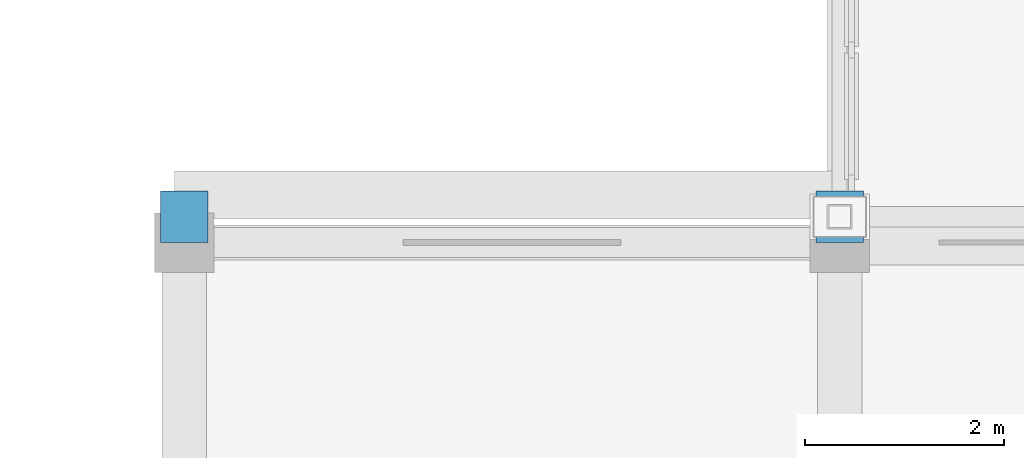
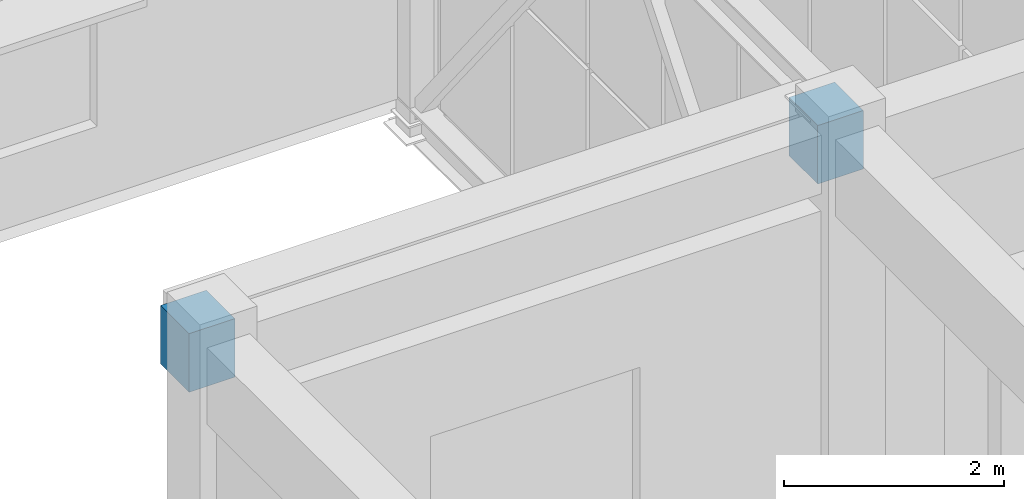
# One storey, part 28 of 64: 2 beams.
"""IFC4 building model written with IfcOpenShell, lengths in metres."""

from ifc_helpers import new_model, si_unit, direction, frame, origin, origin_2d, place, context, subcontext, project, spatial, rectangle, extrude, material, material_profile, profile_set, type_object, element, save


model = new_model("IFC4")

# Units and contexts
model_context = context("Model", 3, precision=1e-05, world=origin(), true_north=direction((0.0, 1.0)))
body_context = subcontext(model_context, "Body", "Model", "MODEL_VIEW")
ifc_project = project(units=[si_unit("LENGTHUNIT", "METRE"), si_unit("AREAUNIT", "SQUARE_METRE"), si_unit("VOLUMEUNIT", "CUBIC_METRE"), si_unit("PLANEANGLEUNIT", "RADIAN"), si_unit("MASSUNIT", "GRAM", prefix="KILO")], contexts=[model_context])

# Site, building, storey
site_placement = place(None, origin())
site = spatial("IfcSite", under=ifc_project, at=site_placement, CompositionType="ELEMENT")
building_placement = place(site_placement, origin())
building = spatial("IfcBuilding", under=site, at=building_placement, Name="Cinchona Park Media Centre", CompositionType="ELEMENT")
storey_placement = place(building_placement, frame((0.0, 0.0, 5.39990234375)))
storey = spatial("IfcBuildingStorey", under=building, at=storey_placement, Name="L01", CompositionType="ELEMENT", Elevation=5.39990234375)

# Beams
ifc_material = material(Name="Concrete C40/50", Category="concrete")
ifc_material_profile = material_profile(ifc_material, rectangle(XDim=0.47998046875, YDim=0.64990234375, at=origin_2d()), Name="RB 480X650")
ifc_profile_set = profile_set([ifc_material_profile], Name="Concrete C40/50")
beam_type = type_object("IfcBeamType", Name="BEAM-B07-RB480X650", PredefinedType="BEAM", material=ifc_profile_set)
for number, where, z_axis, x_axis, name in (
    (1, (149.199951171875, 63.60009765625, 4.175048828125), (0.0, 1.0, 0.0), (-1.0, 0.0, 0.0), "Skybridge Support Corbel Beam B07 V6 L01"),
    (2, (155.800048828125, 63.60009765625, 4.175048828125), (0.0, 1.0, 0.0), (-1.0, 0.0, 0.0), "Skybridge Support Corbel Beam B07 V6 L01"),
):
    element("IfcBeam", number, at=place(storey_placement, frame(where, z_axis=z_axis, x_axis=x_axis)), inside=storey, type_object=beam_type, Name=name, PredefinedType="BEAM", context=body_context, shape_type="SweptSolid", body=[
        extrude(rectangle(XDim=0.47998046875, YDim=0.64990234375, at=origin_2d()), origin(), (0.0, 0.0, 1.0), 0.52001953125),
    ])

save(model, "model.ifc")
